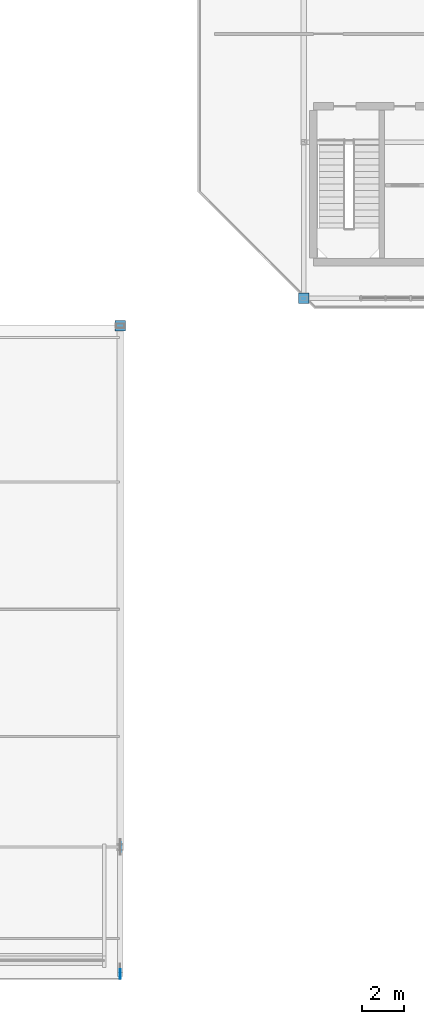
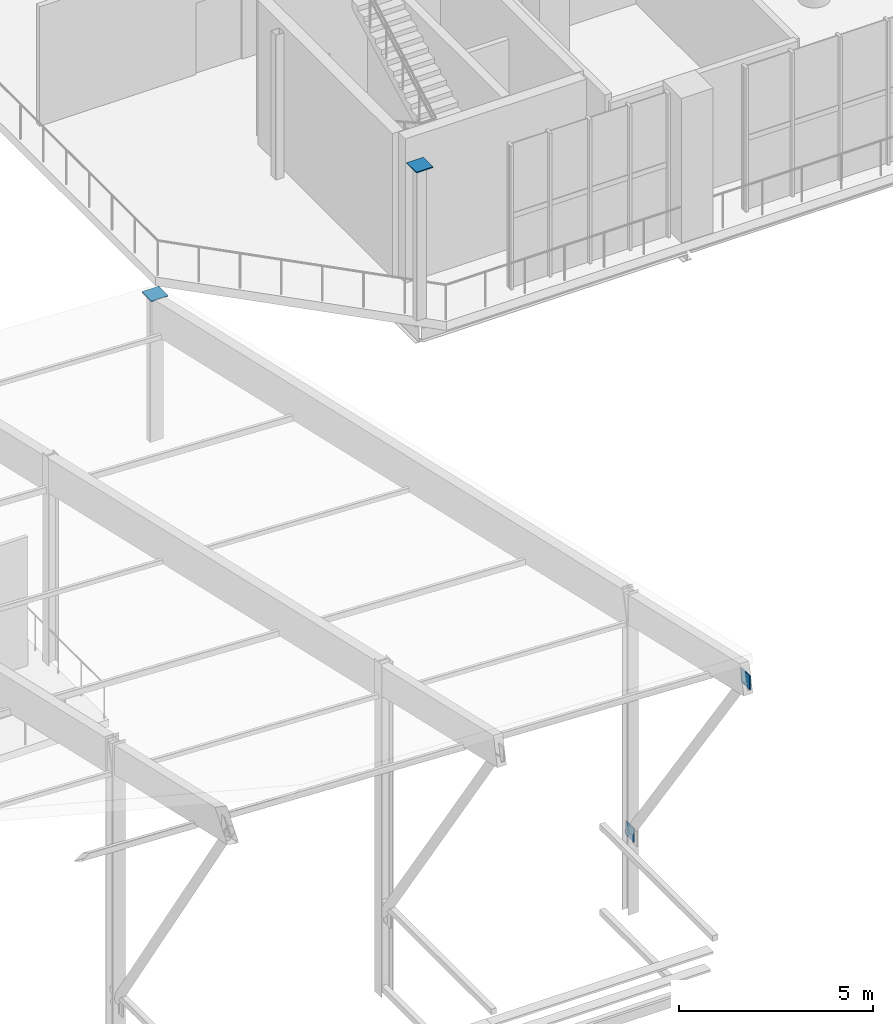
# One storey, part 42 of 51: 4 discrete accessories.
"""IFC4 building model written with IfcOpenShell, lengths in metres."""

from ifc_helpers import new_model, si_unit, direction, frame, origin, origin_2d, place, context, subcontext, project, spatial, rectangle, extrude, material, type_object, element, save


model = new_model("IFC4")

# Units and contexts
model_context = context("Model", 3, precision=1e-05, world=origin(), true_north=direction((0.0, 1.0)))
body_context = subcontext(model_context, "Body", "Model", "MODEL_VIEW")
ifc_project = project(units=[si_unit("LENGTHUNIT", "METRE"), si_unit("AREAUNIT", "SQUARE_METRE"), si_unit("VOLUMEUNIT", "CUBIC_METRE"), si_unit("PLANEANGLEUNIT", "RADIAN"), si_unit("MASSUNIT", "GRAM", prefix="KILO")], contexts=[model_context])

# Site, building, storey
site_placement = place(None, origin())
site = spatial("IfcSite", under=ifc_project, at=site_placement, CompositionType="ELEMENT")
building_placement = place(site_placement, origin())
building = spatial("IfcBuilding", under=site, at=building_placement, Name="Brisemont Oceanarium", CompositionType="ELEMENT")
storey_placement = place(building_placement, frame((0.0, 0.0, 15.0)))
storey = spatial("IfcBuildingStorey", under=building, at=storey_placement, Name="L03", CompositionType="ELEMENT", Elevation=15.0)

# Discrete accessories
ifc_material = material(Name="Structural Steel ASTM A572 Gr.50", Category="steel")
discrete_accessory_type = type_object("IfcDiscreteAccessoryType", Name="ACC-CAP-STL", PredefinedType="ANCHORPLATE", material=ifc_material)
for number, where, z_axis, x_axis, name in (
    (1, (64.0, 32.64990234375, 4.7900390625), (0.0, 0.0, 1.0), (1.0, 0.0, 0.0), "V1 L03 hollow column welded end cap (1,0)"),
    (2, (55.35009765625, 31.35009765625, 4.54345703125), (0.0, 0.0, 1.0), (1.0, 0.0, 0.0), "V2 L03 hollow column welded end cap (6,3)"),
):
    element("IfcDiscreteAccessory", number, at=place(storey_placement, frame(where, z_axis=z_axis, x_axis=x_axis)), inside=storey, type_object=discrete_accessory_type, Name=name, PredefinedType="ANCHORPLATE", context=body_context, shape_type="SweptSolid", body=[
        extrude(rectangle(XDim=0.5, YDim=0.5, at=origin_2d()), origin(), (0.0, 0.0, 1.0), 0.030029296875),
    ])
for number, where, z_axis, x_axis, name in (
    (3, (55.35009765625, 6.800048828125, 2.280029296875), (0.0, 0.0, 1.0), (1.0, 0.0, 0.0), "V2 overhang strut gusset connection 7 BASE"),
    (4, (55.35009765625, 0.820068359375, 10.720947265625), (0.0, 0.0, 1.0), (1.0, 0.0, 0.0), "V2 overhang strut gusset connection 7 TIP"),
):
    element("IfcDiscreteAccessory", number, at=place(storey_placement, frame(where, z_axis=z_axis, x_axis=x_axis)), inside=storey, type_object=discrete_accessory_type, Name=name, PredefinedType="ANCHORPLATE", context=body_context, shape_type="SweptSolid", body=[
        extrude(rectangle(XDim=0.031982421875, YDim=0.43994140625, at=origin_2d()), origin(), (0.0, 0.0, 1.0), 0.43994140625),
    ])

save(model, "model.ifc")
